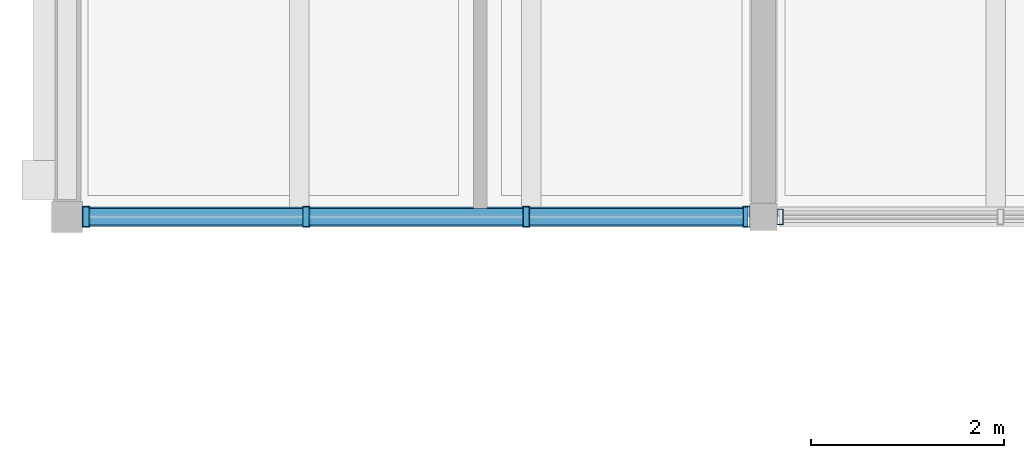
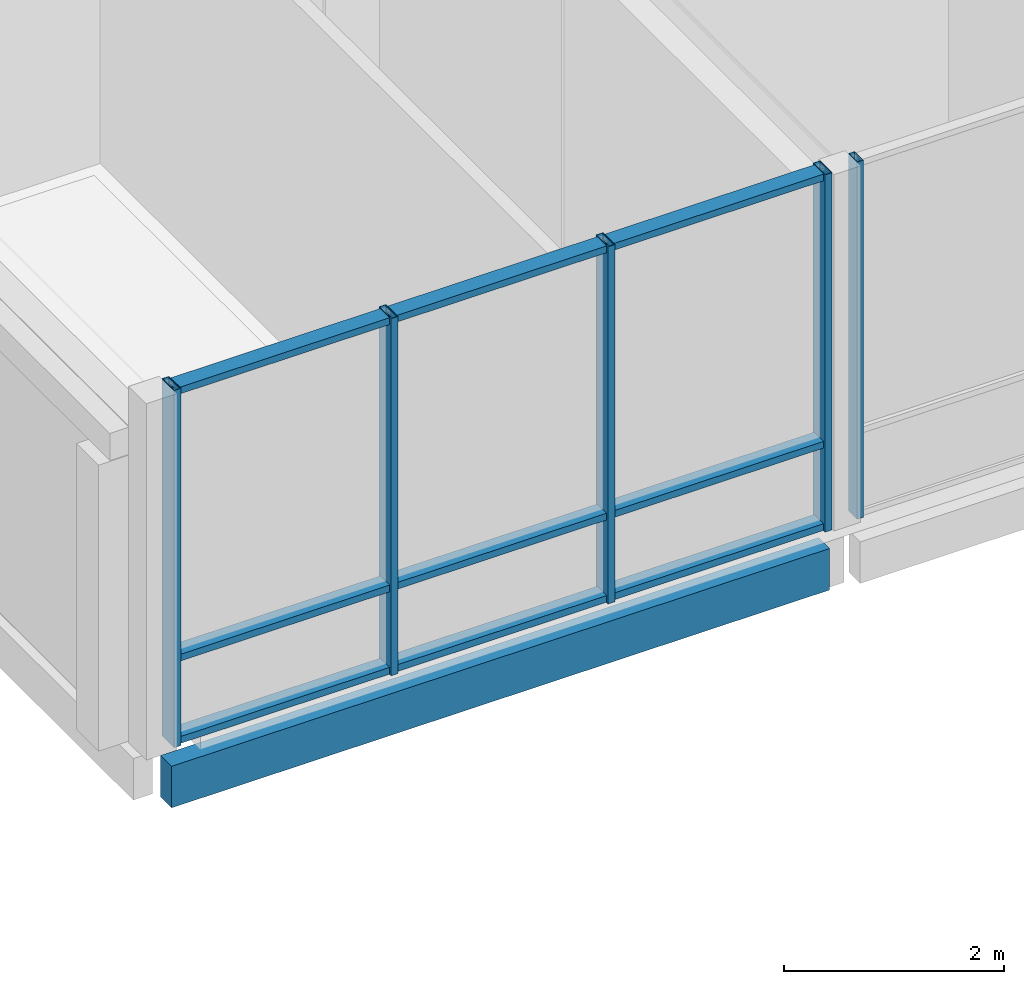
# One storey, part 4 of 57: 14 members, 1 beam, 2 elements without a shape of their own.
"""IFC4 building model written with IfcOpenShell, lengths in metres."""

from ifc_helpers import new_model, si_unit, direction, frame, origin, origin_2d, place, context, subcontext, project, spatial, rectangle, hollow_rectangle, extrude, material, material_profile, profile_set, type_object, element, aggregate, save


model = new_model("IFC4")

# Units and contexts
model_context = context("Model", 3, precision=1e-05, world=origin(), true_north=direction((0.0, 1.0)))
body_context = subcontext(model_context, "Body", "Model", "MODEL_VIEW")
ifc_project = project(units=[si_unit("LENGTHUNIT", "METRE"), si_unit("AREAUNIT", "SQUARE_METRE"), si_unit("VOLUMEUNIT", "CUBIC_METRE"), si_unit("PLANEANGLEUNIT", "RADIAN"), si_unit("MASSUNIT", "GRAM", prefix="KILO")], contexts=[model_context])

# Site, building, storey
site_placement = place(None, origin())
site = spatial("IfcSite", under=ifc_project, at=site_placement, CompositionType="ELEMENT")
building_placement = place(site_placement, origin())
building = spatial("IfcBuilding", under=site, at=building_placement, Name="Hawrajan Terrace Health Centre", CompositionType="ELEMENT")
storey_placement = place(building_placement, frame((0.0, 0.0, 13.199951171875)))
storey = spatial("IfcBuildingStorey", under=building, at=storey_placement, Name="L03", CompositionType="ELEMENT", Elevation=13.199951171875)

# Curtain wall, member
ifc_material_1 = material(Name="Anodized bronze aluminium and low-E solar glazing", Category="aluminium")
curtain_wall_type_1 = type_object("IfcCurtainWallType", Name="CW_Garden_SeriesF2", PredefinedType="USERDEFINED", material=ifc_material_1)
curtain_wall_1_placement = place(storey_placement, origin())
curtain_wall_1 = element("IfcCurtainWall", 1, at=curtain_wall_1_placement, inside=storey, type_object=curtain_wall_type_1, Name="Curtain wall CW-L03-159", ObjectType="UNITISED CURTAIN WALL", PredefinedType="USERDEFINED")
ifc_material_2 = material(Name="Anodized bronze aluminium 6063-T6", Category="aluminium")
ifc_material_profile_1 = material_profile(ifc_material_2, hollow_rectangle(XDim=0.06494140625, YDim=0.159912109375, WallThickness=0.00390625, at=origin_2d()), Name="CW MUL 65x160")
ifc_profile_set_1 = profile_set([ifc_material_profile_1], Name="Anodized bronze aluminium 6063-T6")
member_type_1 = type_object("IfcMemberType", Name="CWMullion_65x160", PredefinedType="MULLION", material=ifc_profile_set_1)
member_1_placement = place(storey_placement, frame((11.972412109375, 27.199951171875, -0.0048828125), z_axis=(0.0, 0.0, 1.0), x_axis=(1.0, 0.0, 0.0)))
member_1 = element("IfcMember", 2, at=member_1_placement, type_object=member_type_1, Name="Mullion CW-L03-159-M1", PredefinedType="MULLION", context=body_context, shape_type="SweptSolid", body=[
    extrude(hollow_rectangle(XDim=0.06494140625, YDim=0.159912109375, WallThickness=0.00390625, at=origin_2d()), origin(), (0.0, 0.0, 1.0), 3.9599609375),
])
aggregate(curtain_wall_1, [member_1])

# Curtain wall, members
curtain_wall_type_2 = type_object("IfcCurtainWallType", Name="CW_Garden_SeriesF1", PredefinedType="USERDEFINED", material=ifc_material_1)
curtain_wall_2_placement = place(storey_placement, origin())
curtain_wall_2 = element("IfcCurtainWall", 3, at=curtain_wall_2_placement, inside=storey, type_object=curtain_wall_type_2, Name="Curtain wall CW-L03-158", ObjectType="UNITISED CURTAIN WALL", PredefinedType="USERDEFINED")
ifc_material_profile_2 = material_profile(ifc_material_2, hollow_rectangle(XDim=0.074951171875, YDim=0.219970703125, WallThickness=0.0048828125, at=origin_2d()), Name="CW MUL 75x220")
ifc_profile_set_2 = profile_set([ifc_material_profile_2], Name="Anodized bronze aluminium 6063-T6")
member_type_2 = type_object("IfcMemberType", Name="CWMullion_75x220", PredefinedType="MULLION", material=ifc_profile_set_2)
member_2_placement = place(storey_placement, frame((4.797607421875, 27.199951171875, -0.0048828125), z_axis=(0.0, 0.0, 1.0), x_axis=(1.0, 0.0, 0.0)))
member_2 = element("IfcMember", 4, at=member_2_placement, type_object=member_type_2, Name="Mullion CW-L03-158-M1", PredefinedType="MULLION", context=body_context, shape_type="SweptSolid", body=[
    extrude(hollow_rectangle(XDim=0.074951171875, YDim=0.219970703125, WallThickness=0.0048828125, at=origin_2d()), origin(), (0.0, 0.0, 1.0), 3.9599609375),
])
member_3_placement = place(storey_placement, frame((7.072509765625, 27.199951171875, -0.0048828125), z_axis=(0.0, 0.0, 1.0), x_axis=(1.0, 0.0, 0.0)))
member_3 = element("IfcMember", 5, at=member_3_placement, type_object=member_type_2, Name="Mullion CW-L03-158-M2", PredefinedType="MULLION", context=body_context, shape_type="SweptSolid", body=[
    extrude(hollow_rectangle(XDim=0.074951171875, YDim=0.219970703125, WallThickness=0.0048828125, at=origin_2d()), origin(), (0.0, 0.0, 1.0), 3.9599609375),
])
member_4_placement = place(storey_placement, frame((9.347412109375, 27.199951171875, -0.0048828125), z_axis=(0.0, 0.0, 1.0), x_axis=(1.0, 0.0, 0.0)))
member_4 = element("IfcMember", 6, at=member_4_placement, type_object=member_type_2, Name="Mullion CW-L03-158-M3", PredefinedType="MULLION", context=body_context, shape_type="SweptSolid", body=[
    extrude(hollow_rectangle(XDim=0.074951171875, YDim=0.219970703125, WallThickness=0.0048828125, at=origin_2d()), origin(), (0.0, 0.0, 1.0), 3.9599609375),
])
member_5_placement = place(storey_placement, frame((11.62255859375, 27.199951171875, -0.0048828125), z_axis=(0.0, 0.0, 1.0), x_axis=(1.0, 0.0, 0.0)))
member_5 = element("IfcMember", 7, at=member_5_placement, type_object=member_type_2, Name="Mullion CW-L03-158-M4", PredefinedType="MULLION", context=body_context, shape_type="SweptSolid", body=[
    extrude(hollow_rectangle(XDim=0.074951171875, YDim=0.219970703125, WallThickness=0.0048828125, at=origin_2d()), origin(), (0.0, 0.0, 1.0), 3.9599609375),
])
ifc_material_profile_3 = material_profile(ifc_material_2, hollow_rectangle(XDim=0.074951171875, YDim=0.169921875, WallThickness=0.00439453125, at=origin_2d()), Name="CW TRN 75x170")
ifc_profile_set_3 = profile_set([ifc_material_profile_3], Name="Anodized bronze aluminium 6063-T6")
member_type_3 = type_object("IfcMemberType", Name="CWTransom_75x170", PredefinedType="USERDEFINED", material=ifc_profile_set_3)
member_6_placement = place(storey_placement, frame((4.8291015625, 27.199951171875, 0.03759765625), z_axis=(1.0, 0.0, 0.0), x_axis=(0.0, 0.0, 1.0)))
member_6 = element("IfcMember", 8, at=member_6_placement, type_object=member_type_3, Name="Transom CW-L03-158-T1-1", ObjectType="TRANSOM", PredefinedType="USERDEFINED", context=body_context, shape_type="SweptSolid", body=[
    extrude(hollow_rectangle(XDim=0.074951171875, YDim=0.169921875, WallThickness=0.00439453125, at=origin_2d()), origin(), (0.0, 0.0, 1.0), 2.2119140625),
])
member_7_placement = place(storey_placement, frame((4.8291015625, 27.199951171875, 0.949951171875), z_axis=(1.0, 0.0, 0.0), x_axis=(0.0, 0.0, 1.0)))
member_7 = element("IfcMember", 9, at=member_7_placement, type_object=member_type_3, Name="Transom CW-L03-158-T1-2", ObjectType="TRANSOM", PredefinedType="USERDEFINED", context=body_context, shape_type="SweptSolid", body=[
    extrude(hollow_rectangle(XDim=0.074951171875, YDim=0.169921875, WallThickness=0.00439453125, at=origin_2d()), origin(), (0.0, 0.0, 1.0), 2.2119140625),
])
member_8_placement = place(storey_placement, frame((4.8291015625, 27.199951171875, 3.91259765625), z_axis=(1.0, 0.0, 0.0), x_axis=(0.0, 0.0, 1.0)))
member_8 = element("IfcMember", 10, at=member_8_placement, type_object=member_type_3, Name="Transom CW-L03-158-T1-3", ObjectType="TRANSOM", PredefinedType="USERDEFINED", context=body_context, shape_type="SweptSolid", body=[
    extrude(hollow_rectangle(XDim=0.074951171875, YDim=0.169921875, WallThickness=0.00439453125, at=origin_2d()), origin(), (0.0, 0.0, 1.0), 2.2119140625),
])
member_9_placement = place(storey_placement, frame((7.10400390625, 27.199951171875, 0.03759765625), z_axis=(1.0, 0.0, 0.0), x_axis=(0.0, 0.0, 1.0)))
member_9 = element("IfcMember", 11, at=member_9_placement, type_object=member_type_3, Name="Transom CW-L03-158-T2-1", ObjectType="TRANSOM", PredefinedType="USERDEFINED", context=body_context, shape_type="SweptSolid", body=[
    extrude(hollow_rectangle(XDim=0.074951171875, YDim=0.169921875, WallThickness=0.00439453125, at=origin_2d()), origin(), (0.0, 0.0, 1.0), 2.2119140625),
])
member_10_placement = place(storey_placement, frame((7.10400390625, 27.199951171875, 0.949951171875), z_axis=(1.0, 0.0, 0.0), x_axis=(0.0, 0.0, 1.0)))
member_10 = element("IfcMember", 12, at=member_10_placement, type_object=member_type_3, Name="Transom CW-L03-158-T2-2", ObjectType="TRANSOM", PredefinedType="USERDEFINED", context=body_context, shape_type="SweptSolid", body=[
    extrude(hollow_rectangle(XDim=0.074951171875, YDim=0.169921875, WallThickness=0.00439453125, at=origin_2d()), origin(), (0.0, 0.0, 1.0), 2.2119140625),
])
member_11_placement = place(storey_placement, frame((7.10400390625, 27.199951171875, 3.91259765625), z_axis=(1.0, 0.0, 0.0), x_axis=(0.0, 0.0, 1.0)))
member_11 = element("IfcMember", 13, at=member_11_placement, type_object=member_type_3, Name="Transom CW-L03-158-T2-3", ObjectType="TRANSOM", PredefinedType="USERDEFINED", context=body_context, shape_type="SweptSolid", body=[
    extrude(hollow_rectangle(XDim=0.074951171875, YDim=0.169921875, WallThickness=0.00439453125, at=origin_2d()), origin(), (0.0, 0.0, 1.0), 2.2119140625),
])
member_12_placement = place(storey_placement, frame((9.37890625, 27.199951171875, 0.03759765625), z_axis=(1.0, 0.0, 0.0), x_axis=(0.0, 0.0, 1.0)))
member_12 = element("IfcMember", 14, at=member_12_placement, type_object=member_type_3, Name="Transom CW-L03-158-T3-1", ObjectType="TRANSOM", PredefinedType="USERDEFINED", context=body_context, shape_type="SweptSolid", body=[
    extrude(hollow_rectangle(XDim=0.074951171875, YDim=0.169921875, WallThickness=0.00439453125, at=origin_2d()), origin(), (0.0, 0.0, 1.0), 2.212158203125),
])
member_13_placement = place(storey_placement, frame((9.37890625, 27.199951171875, 0.949951171875), z_axis=(1.0, 0.0, 0.0), x_axis=(0.0, 0.0, 1.0)))
member_13 = element("IfcMember", 15, at=member_13_placement, type_object=member_type_3, Name="Transom CW-L03-158-T3-2", ObjectType="TRANSOM", PredefinedType="USERDEFINED", context=body_context, shape_type="SweptSolid", body=[
    extrude(hollow_rectangle(XDim=0.074951171875, YDim=0.169921875, WallThickness=0.00439453125, at=origin_2d()), origin(), (0.0, 0.0, 1.0), 2.212158203125),
])
member_14_placement = place(storey_placement, frame((9.37890625, 27.199951171875, 3.91259765625), z_axis=(1.0, 0.0, 0.0), x_axis=(0.0, 0.0, 1.0)))
member_14 = element("IfcMember", 16, at=member_14_placement, type_object=member_type_3, Name="Transom CW-L03-158-T3-3", ObjectType="TRANSOM", PredefinedType="USERDEFINED", context=body_context, shape_type="SweptSolid", body=[
    extrude(hollow_rectangle(XDim=0.074951171875, YDim=0.169921875, WallThickness=0.00439453125, at=origin_2d()), origin(), (0.0, 0.0, 1.0), 2.212158203125),
])
aggregate(curtain_wall_2, [member_2, member_3, member_4, member_5, member_6, member_7, member_8, member_9, member_10, member_11, member_12, member_13, member_14])

# Beam
ifc_material_3 = material(Name="Glulam GL32h", Category="wood")
ifc_material_profile_4 = material_profile(ifc_material_3, rectangle(XDim=0.199951171875, YDim=0.4599609375, at=origin_2d()), Name="GL SP 200x460")
ifc_profile_set_4 = profile_set([ifc_material_profile_4], Name="Glulam GL32h")
beam_type = type_object("IfcBeamType", Name="GlulamSpandrel_200x460", PredefinedType="SPANDREL", material=ifc_profile_set_4)
beam_placement = place(storey_placement, frame((4.739990234375, 27.199951171875, -0.43994140625), z_axis=(1.0, 0.0, 0.0), x_axis=(0.0, 1.0, 0.0)))
element("IfcBeam", 17, at=beam_placement, inside=storey, type_object=beam_type, Name="Beam BM-X-L03-W-01-Y4", PredefinedType="SPANDREL", context=body_context, shape_type="SweptSolid", body=[
    extrude(rectangle(XDim=0.199951171875, YDim=0.4599609375, at=origin_2d()), origin(), (0.0, 0.0, 1.0), 6.89990234375),
])

save(model, "model.ifc")
